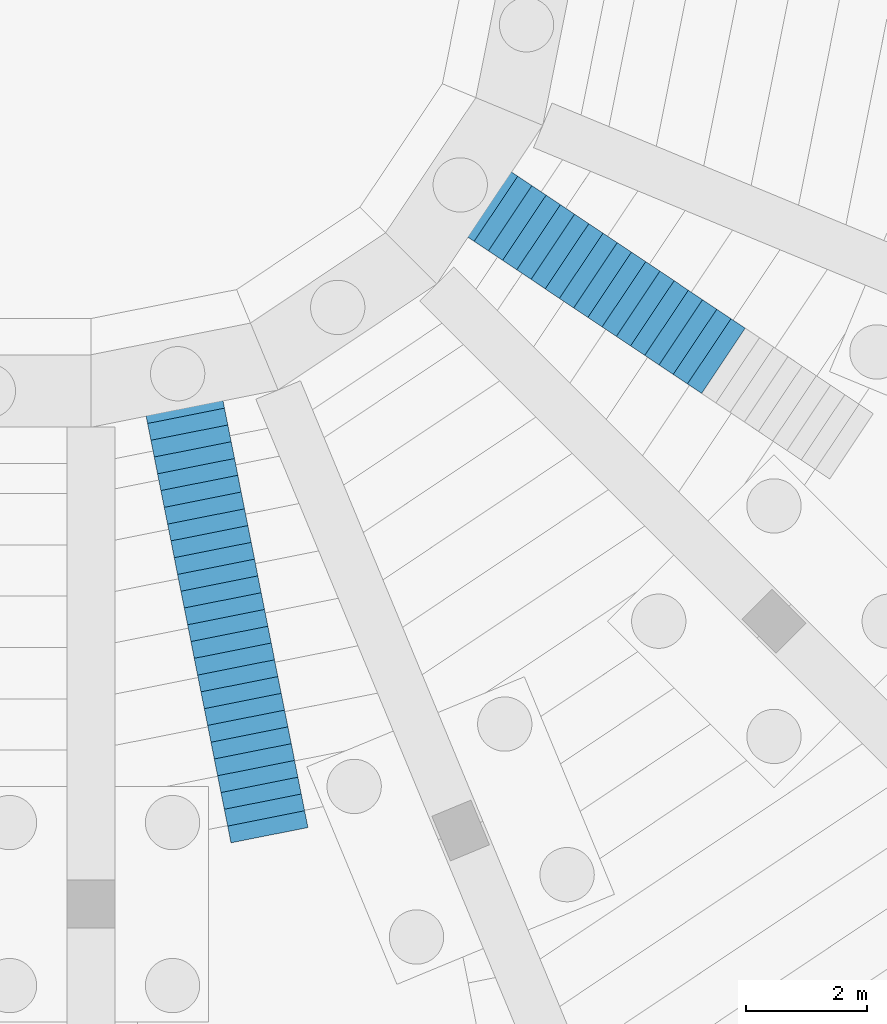
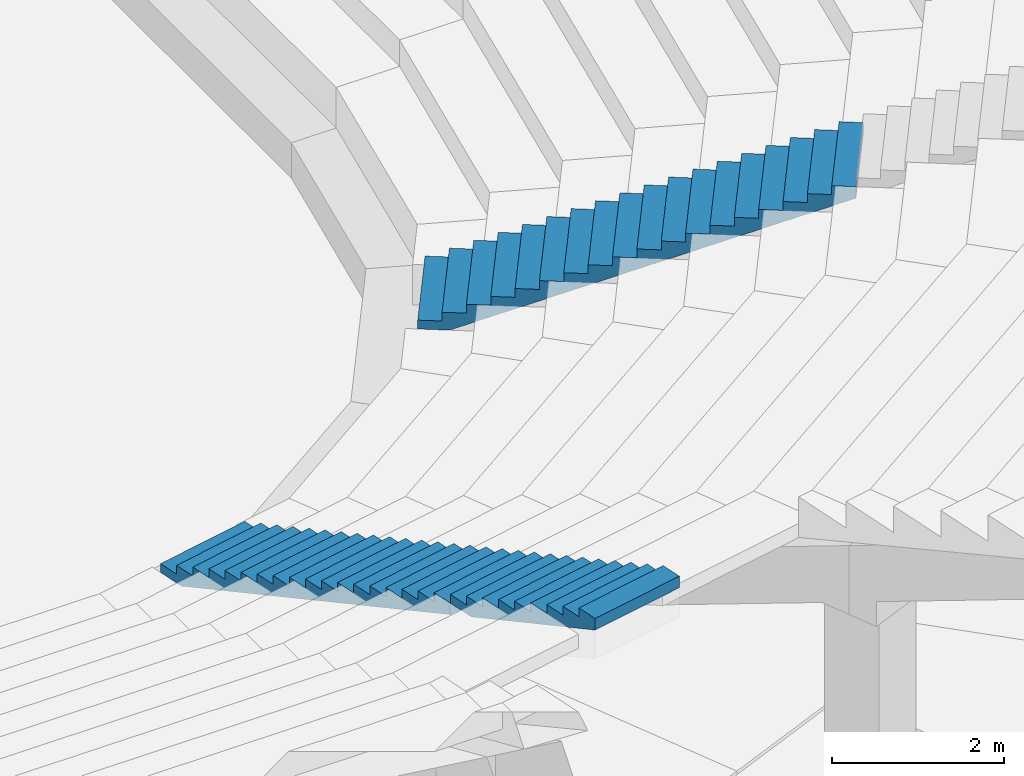
# One storey, part 72 of 115: 3 stair flights, 2 elements without a shape of their own.
"""IFC4 building model written with IfcOpenShell, lengths in metres."""

from ifc_helpers import new_model, si_unit, direction, frame, origin, place, context, subcontext, project, spatial, faceted_brep, material, type_object, element, aggregate, save


model = new_model("IFC4")

# Units and contexts
model_context = context("Model", 3, precision=1e-05, world=origin(), true_north=direction((0.0, 1.0)))
body_context = subcontext(model_context, "Body", "Model", "MODEL_VIEW")
ifc_project = project(units=[si_unit("LENGTHUNIT", "METRE"), si_unit("AREAUNIT", "SQUARE_METRE"), si_unit("VOLUMEUNIT", "CUBIC_METRE"), si_unit("PLANEANGLEUNIT", "RADIAN"), si_unit("MASSUNIT", "GRAM", prefix="KILO")], contexts=[model_context])

# Site, building, storey
site_placement = place(None, origin())
site = spatial("IfcSite", under=ifc_project, at=site_placement, CompositionType="ELEMENT")
building_placement = place(site_placement, origin())
building = spatial("IfcBuilding", under=site, at=building_placement, Name="Ogive Plaza Stadium", CompositionType="ELEMENT")
storey_placement = place(building_placement, frame((0.0, 0.0, -4.5)))
storey = spatial("IfcBuildingStorey", under=building, at=storey_placement, Name="B1", CompositionType="ELEMENT", Elevation=-4.5)

# Stair, stair flight
ifc_material_1 = material(Name="Concrete C40/50", Category="concrete")
stair_type = type_object("IfcStairType", Name="Aisle stair", PredefinedType="STRAIGHT_RUN_STAIR", material=ifc_material_1)
stair_1_placement = place(storey_placement, origin())
stair_1 = element("IfcStair", 1, at=stair_1_placement, inside=storey, type_object=stair_type, Name="Aisle stair SA09D", PredefinedType="STRAIGHT_RUN_STAIR")
ifc_material_2 = material(Name="Concrete C40/50", Category="concrete")
stair_flight_type = type_object("IfcStairFlightType", Name="Aisle stair flight", PredefinedType="STRAIGHT", material=ifc_material_2)
stair_flight_1_placement = place(storey_placement, frame((40.236083984375, -56.666748046875, 1.125), z_axis=(0.0, 0.0, 1.0), x_axis=(0.831469612303, -0.55557023302, 0.0)))
stair_flight_1 = element("IfcStairFlight", 2, at=stair_flight_1_placement, type_object=stair_flight_type, Name="SA09D flight 1", NumberOfRisers=18, NumberOfTreads=17, PredefinedType="STRAIGHT", RiserHeight=0.125, TreadLength=0.283333333, context=body_context, shape_type="Brep", body=[
    faceted_brep([(0.371337890625, -0.64990234375, 0.0), (5.10009765625, -0.64990234375, 2.086181640625), (5.10009765625, -0.64990234375, 2.25), (4.816650390625, -0.64990234375, 2.25), (4.816650390625, -0.64990234375, 2.125), (4.533447265625, -0.64990234375, 2.125), (4.533447265625, -0.64990234375, 2.0), (4.25, -0.64990234375, 2.0), (4.25, -0.64990234375, 1.875), (3.966552734375, -0.64990234375, 1.875), (3.966552734375, -0.64990234375, 1.75), (3.683349609375, -0.64990234375, 1.75), (3.683349609375, -0.64990234375, 1.625), (3.39990234375, -0.64990234375, 1.625), (3.39990234375, -0.64990234375, 1.5), (3.11669921875, -0.64990234375, 1.5), (3.11669921875, -0.64990234375, 1.375), (2.833251953125, -0.64990234375, 1.375), (2.833251953125, -0.64990234375, 1.25), (2.550048828125, -0.64990234375, 1.25), (2.550048828125, -0.64990234375, 1.125), (2.2666015625, -0.64990234375, 1.125), (2.2666015625, -0.64990234375, 1.0), (1.9833984375, -0.64990234375, 1.0), (1.9833984375, -0.64990234375, 0.875), (1.699951171875, -0.64990234375, 0.875), (1.699951171875, -0.64990234375, 0.75), (1.416748046875, -0.64990234375, 0.75), (1.416748046875, -0.64990234375, 0.625), (1.13330078125, -0.64990234375, 0.625), (1.13330078125, -0.64990234375, 0.5), (0.85009765625, -0.64990234375, 0.5), (0.85009765625, -0.64990234375, 0.375), (0.566650390625, -0.64990234375, 0.375), (0.566650390625, -0.64990234375, 0.25), (0.283447265625, -0.64990234375, 0.25), (0.283447265625, -0.64990234375, 0.125), (0.0, -0.64990234375, 0.125), (0.0, -0.64990234375, 0.0), (0.0, 0.64990234375, 0.0), (0.0, 0.64990234375, 0.125), (0.283447265625, 0.64990234375, 0.125), (0.283447265625, 0.64990234375, 0.25), (0.566650390625, 0.64990234375, 0.25), (0.566650390625, 0.64990234375, 0.375), (0.85009765625, 0.64990234375, 0.375), (0.85009765625, 0.64990234375, 0.5), (1.13330078125, 0.64990234375, 0.5), (1.13330078125, 0.64990234375, 0.625), (1.416748046875, 0.64990234375, 0.625), (1.416748046875, 0.64990234375, 0.75), (1.699951171875, 0.64990234375, 0.75), (1.699951171875, 0.64990234375, 0.875), (1.9833984375, 0.64990234375, 0.875), (1.9833984375, 0.64990234375, 1.0), (2.2666015625, 0.64990234375, 1.0), (2.2666015625, 0.64990234375, 1.125), (2.550048828125, 0.64990234375, 1.125), (2.550048828125, 0.64990234375, 1.25), (2.833251953125, 0.64990234375, 1.25), (2.833251953125, 0.64990234375, 1.375), (3.11669921875, 0.64990234375, 1.375), (3.11669921875, 0.64990234375, 1.5), (3.39990234375, 0.64990234375, 1.5), (3.39990234375, 0.64990234375, 1.625), (3.683349609375, 0.64990234375, 1.625), (3.683349609375, 0.64990234375, 1.75), (3.966552734375, 0.64990234375, 1.75), (3.966552734375, 0.64990234375, 1.875), (4.25, 0.64990234375, 1.875), (4.25, 0.64990234375, 2.0), (4.533447265625, 0.64990234375, 2.0), (4.533447265625, 0.64990234375, 2.125), (4.816650390625, 0.64990234375, 2.125), (4.816650390625, 0.64990234375, 2.25), (5.10009765625, 0.64990234375, 2.25), (5.10009765625, 0.64990234375, 2.086181640625), (0.371337890625, 0.64990234375, 0.0), (0.371337890625, -0.324951171875, 0.0), (5.10009765625, -0.324951171875, 2.086181640625), (0.371337890625, 0.0, 0.0), (5.10009765625, 0.0, 2.086181640625), (0.371337890625, 0.324951171875, 0.0), (5.10009765625, 0.324951171875, 2.086181640625), (5.10009765625, -0.324951171875, 2.25), (5.10009765625, 0.0, 2.25), (5.10009765625, 0.324951171875, 2.25), (4.816650390625, -0.324951171875, 2.25), (4.816650390625, 0.0, 2.25), (4.816650390625, 0.324951171875, 2.25), (4.816650390625, -0.324951171875, 2.125), (4.816650390625, 0.0, 2.125), (4.816650390625, 0.324951171875, 2.125), (4.533447265625, -0.324951171875, 2.125), (4.533447265625, 0.0, 2.125), (4.533447265625, 0.324951171875, 2.125), (4.533447265625, -0.324951171875, 2.0), (4.533447265625, 0.0, 2.0), (4.533447265625, 0.324951171875, 2.0), (4.25, -0.324951171875, 2.0), (4.25, 0.0, 2.0), (4.25, 0.324951171875, 2.0), (4.25, -0.324951171875, 1.875), (4.25, 0.0, 1.875), (4.25, 0.324951171875, 1.875), (3.966552734375, -0.324951171875, 1.875), (3.966552734375, 0.0, 1.875), (3.966552734375, 0.324951171875, 1.875), (3.966552734375, -0.324951171875, 1.75), (3.966552734375, 0.0, 1.75), (3.966552734375, 0.324951171875, 1.75), (3.683349609375, -0.324951171875, 1.75), (3.683349609375, 0.0, 1.75), (3.683349609375, 0.324951171875, 1.75), (3.683349609375, -0.324951171875, 1.625), (3.683349609375, 0.0, 1.625), (3.683349609375, 0.324951171875, 1.625), (3.39990234375, -0.324951171875, 1.625), (3.39990234375, 0.0, 1.625), (3.39990234375, 0.324951171875, 1.625), (3.39990234375, -0.324951171875, 1.5), (3.39990234375, 0.0, 1.5), (3.39990234375, 0.324951171875, 1.5), (3.11669921875, -0.324951171875, 1.5), (3.11669921875, 0.0, 1.5), (3.11669921875, 0.324951171875, 1.5), (3.11669921875, -0.324951171875, 1.375), (3.11669921875, 0.0, 1.375), (3.11669921875, 0.324951171875, 1.375), (2.833251953125, -0.324951171875, 1.375), (2.833251953125, 0.0, 1.375), (2.833251953125, 0.324951171875, 1.375), (2.833251953125, -0.324951171875, 1.25), (2.833251953125, 0.0, 1.25), (2.833251953125, 0.324951171875, 1.25), (2.550048828125, -0.324951171875, 1.25), (2.550048828125, 0.0, 1.25), (2.550048828125, 0.324951171875, 1.25), (2.550048828125, -0.324951171875, 1.125), (2.550048828125, 0.0, 1.125), (2.550048828125, 0.324951171875, 1.125), (2.2666015625, -0.324951171875, 1.125), (2.2666015625, 0.0, 1.125), (2.2666015625, 0.324951171875, 1.125), (2.2666015625, -0.324951171875, 1.0), (2.2666015625, 0.0, 1.0), (2.2666015625, 0.324951171875, 1.0), (1.9833984375, -0.324951171875, 1.0), (1.9833984375, 0.0, 1.0), (1.9833984375, 0.324951171875, 1.0), (1.9833984375, -0.324951171875, 0.875), (1.9833984375, 0.0, 0.875), (1.9833984375, 0.324951171875, 0.875), (1.699951171875, -0.324951171875, 0.875), (1.699951171875, 0.0, 0.875), (1.699951171875, 0.324951171875, 0.875), (1.699951171875, -0.324951171875, 0.75), (1.699951171875, 0.0, 0.75), (1.699951171875, 0.324951171875, 0.75), (1.416748046875, -0.324951171875, 0.75), (1.416748046875, 0.0, 0.75), (1.416748046875, 0.324951171875, 0.75), (1.416748046875, -0.324951171875, 0.625), (1.416748046875, 0.0, 0.625), (1.416748046875, 0.324951171875, 0.625), (1.13330078125, -0.324951171875, 0.625), (1.13330078125, 0.0, 0.625), (1.13330078125, 0.324951171875, 0.625), (1.13330078125, -0.324951171875, 0.5), (1.13330078125, 0.0, 0.5), (1.13330078125, 0.324951171875, 0.5), (0.85009765625, -0.324951171875, 0.5), (0.85009765625, 0.0, 0.5), (0.85009765625, 0.324951171875, 0.5), (0.85009765625, -0.324951171875, 0.375), (0.85009765625, 0.0, 0.375), (0.85009765625, 0.324951171875, 0.375), (0.566650390625, -0.324951171875, 0.375), (0.566650390625, 0.0, 0.375), (0.566650390625, 0.324951171875, 0.375), (0.566650390625, -0.324951171875, 0.25), (0.566650390625, 0.0, 0.25), (0.566650390625, 0.324951171875, 0.25), (0.283447265625, -0.324951171875, 0.25), (0.283447265625, 0.0, 0.25), (0.283447265625, 0.324951171875, 0.25), (0.283447265625, -0.324951171875, 0.125), (0.283447265625, 0.0, 0.125), (0.283447265625, 0.324951171875, 0.125), (0.0, -0.324951171875, 0.125), (0.0, 0.0, 0.125), (0.0, 0.324951171875, 0.125), (0.0, -0.324951171875, 0.0), (0.0, 0.0, 0.0), (0.0, 0.324951171875, 0.0)], [[[0, 1, 2, 3, 4, 5, 6, 7, 8, 9, 10, 11, 12, 13, 14, 15, 16, 17, 18, 19, 20, 21, 22, 23, 24, 25, 26, 27, 28, 29, 30, 31, 32, 33, 34, 35, 36, 37, 38]], [[39, 40, 41, 42, 43, 44, 45, 46, 47, 48, 49, 50, 51, 52, 53, 54, 55, 56, 57, 58, 59, 60, 61, 62, 63, 64, 65, 66, 67, 68, 69, 70, 71, 72, 73, 74, 75, 76, 77]], [[0, 78, 79, 1]], [[78, 80, 81, 79]], [[80, 82, 83, 81]], [[82, 77, 76, 83]], [[1, 79, 84, 2]], [[79, 81, 85, 84]], [[81, 83, 86, 85]], [[83, 76, 75, 86]], [[2, 84, 87, 3]], [[84, 85, 88, 87]], [[85, 86, 89, 88]], [[86, 75, 74, 89]], [[3, 87, 90, 4]], [[87, 88, 91, 90]], [[88, 89, 92, 91]], [[89, 74, 73, 92]], [[4, 90, 93, 5]], [[90, 91, 94, 93]], [[91, 92, 95, 94]], [[92, 73, 72, 95]], [[5, 93, 96, 6]], [[93, 94, 97, 96]], [[94, 95, 98, 97]], [[95, 72, 71, 98]], [[6, 96, 99, 7]], [[96, 97, 100, 99]], [[97, 98, 101, 100]], [[98, 71, 70, 101]], [[7, 99, 102, 8]], [[99, 100, 103, 102]], [[100, 101, 104, 103]], [[101, 70, 69, 104]], [[8, 102, 105, 9]], [[102, 103, 106, 105]], [[103, 104, 107, 106]], [[104, 69, 68, 107]], [[9, 105, 108, 10]], [[105, 106, 109, 108]], [[106, 107, 110, 109]], [[107, 68, 67, 110]], [[10, 108, 111, 11]], [[108, 109, 112, 111]], [[109, 110, 113, 112]], [[110, 67, 66, 113]], [[11, 111, 114, 12]], [[111, 112, 115, 114]], [[112, 113, 116, 115]], [[113, 66, 65, 116]], [[12, 114, 117, 13]], [[114, 115, 118, 117]], [[115, 116, 119, 118]], [[116, 65, 64, 119]], [[13, 117, 120, 14]], [[117, 118, 121, 120]], [[118, 119, 122, 121]], [[119, 64, 63, 122]], [[14, 120, 123, 15]], [[120, 121, 124, 123]], [[121, 122, 125, 124]], [[122, 63, 62, 125]], [[15, 123, 126, 16]], [[123, 124, 127, 126]], [[124, 125, 128, 127]], [[125, 62, 61, 128]], [[16, 126, 129, 17]], [[126, 127, 130, 129]], [[127, 128, 131, 130]], [[128, 61, 60, 131]], [[17, 129, 132, 18]], [[129, 130, 133, 132]], [[130, 131, 134, 133]], [[131, 60, 59, 134]], [[18, 132, 135, 19]], [[132, 133, 136, 135]], [[133, 134, 137, 136]], [[134, 59, 58, 137]], [[19, 135, 138, 20]], [[135, 136, 139, 138]], [[136, 137, 140, 139]], [[137, 58, 57, 140]], [[20, 138, 141, 21]], [[138, 139, 142, 141]], [[139, 140, 143, 142]], [[140, 57, 56, 143]], [[21, 141, 144, 22]], [[141, 142, 145, 144]], [[142, 143, 146, 145]], [[143, 56, 55, 146]], [[22, 144, 147, 23]], [[144, 145, 148, 147]], [[145, 146, 149, 148]], [[146, 55, 54, 149]], [[23, 147, 150, 24]], [[147, 148, 151, 150]], [[148, 149, 152, 151]], [[149, 54, 53, 152]], [[24, 150, 153, 25]], [[150, 151, 154, 153]], [[151, 152, 155, 154]], [[152, 53, 52, 155]], [[25, 153, 156, 26]], [[153, 154, 157, 156]], [[154, 155, 158, 157]], [[155, 52, 51, 158]], [[26, 156, 159, 27]], [[156, 157, 160, 159]], [[157, 158, 161, 160]], [[158, 51, 50, 161]], [[27, 159, 162, 28]], [[159, 160, 163, 162]], [[160, 161, 164, 163]], [[161, 50, 49, 164]], [[28, 162, 165, 29]], [[162, 163, 166, 165]], [[163, 164, 167, 166]], [[164, 49, 48, 167]], [[29, 165, 168, 30]], [[165, 166, 169, 168]], [[166, 167, 170, 169]], [[167, 48, 47, 170]], [[30, 168, 171, 31]], [[168, 169, 172, 171]], [[169, 170, 173, 172]], [[170, 47, 46, 173]], [[31, 171, 174, 32]], [[171, 172, 175, 174]], [[172, 173, 176, 175]], [[173, 46, 45, 176]], [[32, 174, 177, 33]], [[174, 175, 178, 177]], [[175, 176, 179, 178]], [[176, 45, 44, 179]], [[33, 177, 180, 34]], [[177, 178, 181, 180]], [[178, 179, 182, 181]], [[179, 44, 43, 182]], [[34, 180, 183, 35]], [[180, 181, 184, 183]], [[181, 182, 185, 184]], [[182, 43, 42, 185]], [[35, 183, 186, 36]], [[183, 184, 187, 186]], [[184, 185, 188, 187]], [[185, 42, 41, 188]], [[36, 186, 189, 37]], [[186, 187, 190, 189]], [[187, 188, 191, 190]], [[188, 41, 40, 191]], [[37, 189, 192, 38]], [[189, 190, 193, 192]], [[190, 191, 194, 193]], [[191, 40, 39, 194]], [[38, 192, 78, 0]], [[192, 193, 80, 78]], [[193, 194, 82, 80]], [[194, 39, 77, 82]]]),
])
aggregate(stair_1, [stair_flight_1])

# Stair, stair flights
stair_2_placement = place(storey_placement, origin())
stair_2 = element("IfcStair", 3, at=stair_2_placement, inside=storey, type_object=stair_type, Name="Aisle stair SA11D", PredefinedType="STRAIGHT_RUN_STAIR")
stair_flight_2_placement = place(storey_placement, frame((35.463134765625, -59.85595703125, 1.125), z_axis=(0.0, 0.0, 1.0), x_axis=(0.195090322016, -0.980785280403, 0.0)))
stair_flight_2 = element("IfcStairFlight", 4, at=stair_flight_2_placement, type_object=stair_flight_type, Name="SA11D flight 1", NumberOfRisers=18, NumberOfTreads=17, PredefinedType="STRAIGHT", RiserHeight=0.125, TreadLength=0.283333333, context=body_context, shape_type="Brep", body=[
    faceted_brep([(0.371337890625, -0.64990234375, 0.0), (5.10009765625, -0.64990234375, 2.086181640625), (5.10009765625, -0.64990234375, 2.25), (4.816650390625, -0.64990234375, 2.25), (4.816650390625, -0.64990234375, 2.125), (4.533447265625, -0.64990234375, 2.125), (4.533447265625, -0.64990234375, 2.0), (4.25, -0.64990234375, 2.0), (4.25, -0.64990234375, 1.875), (3.966552734375, -0.64990234375, 1.875), (3.966552734375, -0.64990234375, 1.75), (3.683349609375, -0.64990234375, 1.75), (3.683349609375, -0.64990234375, 1.625), (3.39990234375, -0.64990234375, 1.625), (3.39990234375, -0.64990234375, 1.5), (3.11669921875, -0.64990234375, 1.5), (3.11669921875, -0.64990234375, 1.375), (2.833251953125, -0.64990234375, 1.375), (2.833251953125, -0.64990234375, 1.25), (2.550048828125, -0.64990234375, 1.25), (2.550048828125, -0.64990234375, 1.125), (2.2666015625, -0.64990234375, 1.125), (2.2666015625, -0.64990234375, 1.0), (1.9833984375, -0.64990234375, 1.0), (1.9833984375, -0.64990234375, 0.875), (1.699951171875, -0.64990234375, 0.875), (1.699951171875, -0.64990234375, 0.75), (1.416748046875, -0.64990234375, 0.75), (1.416748046875, -0.64990234375, 0.625), (1.13330078125, -0.64990234375, 0.625), (1.13330078125, -0.64990234375, 0.5), (0.85009765625, -0.64990234375, 0.5), (0.85009765625, -0.64990234375, 0.375), (0.566650390625, -0.64990234375, 0.375), (0.566650390625, -0.64990234375, 0.25), (0.283447265625, -0.64990234375, 0.25), (0.283447265625, -0.64990234375, 0.125), (0.0, -0.64990234375, 0.125), (0.0, -0.64990234375, 0.0), (0.0, 0.64990234375, 0.0), (0.0, 0.64990234375, 0.125), (0.283447265625, 0.64990234375, 0.125), (0.283447265625, 0.64990234375, 0.25), (0.566650390625, 0.64990234375, 0.25), (0.566650390625, 0.64990234375, 0.375), (0.85009765625, 0.64990234375, 0.375), (0.85009765625, 0.64990234375, 0.5), (1.13330078125, 0.64990234375, 0.5), (1.13330078125, 0.64990234375, 0.625), (1.416748046875, 0.64990234375, 0.625), (1.416748046875, 0.64990234375, 0.75), (1.699951171875, 0.64990234375, 0.75), (1.699951171875, 0.64990234375, 0.875), (1.9833984375, 0.64990234375, 0.875), (1.9833984375, 0.64990234375, 1.0), (2.2666015625, 0.64990234375, 1.0), (2.2666015625, 0.64990234375, 1.125), (2.550048828125, 0.64990234375, 1.125), (2.550048828125, 0.64990234375, 1.25), (2.833251953125, 0.64990234375, 1.25), (2.833251953125, 0.64990234375, 1.375), (3.11669921875, 0.64990234375, 1.375), (3.11669921875, 0.64990234375, 1.5), (3.39990234375, 0.64990234375, 1.5), (3.39990234375, 0.64990234375, 1.625), (3.683349609375, 0.64990234375, 1.625), (3.683349609375, 0.64990234375, 1.75), (3.966552734375, 0.64990234375, 1.75), (3.966552734375, 0.64990234375, 1.875), (4.25, 0.64990234375, 1.875), (4.25, 0.64990234375, 2.0), (4.533447265625, 0.64990234375, 2.0), (4.533447265625, 0.64990234375, 2.125), (4.816650390625, 0.64990234375, 2.125), (4.816650390625, 0.64990234375, 2.25), (5.10009765625, 0.64990234375, 2.25), (5.10009765625, 0.64990234375, 2.086181640625), (0.371337890625, 0.64990234375, 0.0), (0.371337890625, -0.324951171875, 0.0), (5.10009765625, -0.324951171875, 2.086181640625), (0.371337890625, 0.0, 0.0), (5.10009765625, 0.0, 2.086181640625), (0.371337890625, 0.324951171875, 0.0), (5.10009765625, 0.324951171875, 2.086181640625), (5.10009765625, -0.324951171875, 2.25), (5.10009765625, 0.0, 2.25), (5.10009765625, 0.324951171875, 2.25), (4.816650390625, -0.324951171875, 2.25), (4.816650390625, 0.0, 2.25), (4.816650390625, 0.324951171875, 2.25), (4.816650390625, -0.324951171875, 2.125), (4.816650390625, 0.0, 2.125), (4.816650390625, 0.324951171875, 2.125), (4.533447265625, -0.324951171875, 2.125), (4.533447265625, 0.0, 2.125), (4.533447265625, 0.324951171875, 2.125), (4.533447265625, -0.324951171875, 2.0), (4.533447265625, 0.0, 2.0), (4.533447265625, 0.324951171875, 2.0), (4.25, -0.324951171875, 2.0), (4.25, 0.0, 2.0), (4.25, 0.324951171875, 2.0), (4.25, -0.324951171875, 1.875), (4.25, 0.0, 1.875), (4.25, 0.324951171875, 1.875), (3.966552734375, -0.324951171875, 1.875), (3.966552734375, 0.0, 1.875), (3.966552734375, 0.324951171875, 1.875), (3.966552734375, -0.324951171875, 1.75), (3.966552734375, 0.0, 1.75), (3.966552734375, 0.324951171875, 1.75), (3.683349609375, -0.324951171875, 1.75), (3.683349609375, 0.0, 1.75), (3.683349609375, 0.324951171875, 1.75), (3.683349609375, -0.324951171875, 1.625), (3.683349609375, 0.0, 1.625), (3.683349609375, 0.324951171875, 1.625), (3.39990234375, -0.324951171875, 1.625), (3.39990234375, 0.0, 1.625), (3.39990234375, 0.324951171875, 1.625), (3.39990234375, -0.324951171875, 1.5), (3.39990234375, 0.0, 1.5), (3.39990234375, 0.324951171875, 1.5), (3.11669921875, -0.324951171875, 1.5), (3.11669921875, 0.0, 1.5), (3.11669921875, 0.324951171875, 1.5), (3.11669921875, -0.324951171875, 1.375), (3.11669921875, 0.0, 1.375), (3.11669921875, 0.324951171875, 1.375), (2.833251953125, -0.324951171875, 1.375), (2.833251953125, 0.0, 1.375), (2.833251953125, 0.324951171875, 1.375), (2.833251953125, -0.324951171875, 1.25), (2.833251953125, 0.0, 1.25), (2.833251953125, 0.324951171875, 1.25), (2.550048828125, -0.324951171875, 1.25), (2.550048828125, 0.0, 1.25), (2.550048828125, 0.324951171875, 1.25), (2.550048828125, -0.324951171875, 1.125), (2.550048828125, 0.0, 1.125), (2.550048828125, 0.324951171875, 1.125), (2.2666015625, -0.324951171875, 1.125), (2.2666015625, 0.0, 1.125), (2.2666015625, 0.324951171875, 1.125), (2.2666015625, -0.324951171875, 1.0), (2.2666015625, 0.0, 1.0), (2.2666015625, 0.324951171875, 1.0), (1.9833984375, -0.324951171875, 1.0), (1.9833984375, 0.0, 1.0), (1.9833984375, 0.324951171875, 1.0), (1.9833984375, -0.324951171875, 0.875), (1.9833984375, 0.0, 0.875), (1.9833984375, 0.324951171875, 0.875), (1.699951171875, -0.324951171875, 0.875), (1.699951171875, 0.0, 0.875), (1.699951171875, 0.324951171875, 0.875), (1.699951171875, -0.324951171875, 0.75), (1.699951171875, 0.0, 0.75), (1.699951171875, 0.324951171875, 0.75), (1.416748046875, -0.324951171875, 0.75), (1.416748046875, 0.0, 0.75), (1.416748046875, 0.324951171875, 0.75), (1.416748046875, -0.324951171875, 0.625), (1.416748046875, 0.0, 0.625), (1.416748046875, 0.324951171875, 0.625), (1.13330078125, -0.324951171875, 0.625), (1.13330078125, 0.0, 0.625), (1.13330078125, 0.324951171875, 0.625), (1.13330078125, -0.324951171875, 0.5), (1.13330078125, 0.0, 0.5), (1.13330078125, 0.324951171875, 0.5), (0.85009765625, -0.324951171875, 0.5), (0.85009765625, 0.0, 0.5), (0.85009765625, 0.324951171875, 0.5), (0.85009765625, -0.324951171875, 0.375), (0.85009765625, 0.0, 0.375), (0.85009765625, 0.324951171875, 0.375), (0.566650390625, -0.324951171875, 0.375), (0.566650390625, 0.0, 0.375), (0.566650390625, 0.324951171875, 0.375), (0.566650390625, -0.324951171875, 0.25), (0.566650390625, 0.0, 0.25), (0.566650390625, 0.324951171875, 0.25), (0.283447265625, -0.324951171875, 0.25), (0.283447265625, 0.0, 0.25), (0.283447265625, 0.324951171875, 0.25), (0.283447265625, -0.324951171875, 0.125), (0.283447265625, 0.0, 0.125), (0.283447265625, 0.324951171875, 0.125), (0.0, -0.324951171875, 0.125), (0.0, 0.0, 0.125), (0.0, 0.324951171875, 0.125), (0.0, -0.324951171875, 0.0), (0.0, 0.0, 0.0), (0.0, 0.324951171875, 0.0)], [[[0, 1, 2, 3, 4, 5, 6, 7, 8, 9, 10, 11, 12, 13, 14, 15, 16, 17, 18, 19, 20, 21, 22, 23, 24, 25, 26, 27, 28, 29, 30, 31, 32, 33, 34, 35, 36, 37, 38]], [[39, 40, 41, 42, 43, 44, 45, 46, 47, 48, 49, 50, 51, 52, 53, 54, 55, 56, 57, 58, 59, 60, 61, 62, 63, 64, 65, 66, 67, 68, 69, 70, 71, 72, 73, 74, 75, 76, 77]], [[0, 78, 79, 1]], [[78, 80, 81, 79]], [[80, 82, 83, 81]], [[82, 77, 76, 83]], [[1, 79, 84, 2]], [[79, 81, 85, 84]], [[81, 83, 86, 85]], [[83, 76, 75, 86]], [[2, 84, 87, 3]], [[84, 85, 88, 87]], [[85, 86, 89, 88]], [[86, 75, 74, 89]], [[3, 87, 90, 4]], [[87, 88, 91, 90]], [[88, 89, 92, 91]], [[89, 74, 73, 92]], [[4, 90, 93, 5]], [[90, 91, 94, 93]], [[91, 92, 95, 94]], [[92, 73, 72, 95]], [[5, 93, 96, 6]], [[93, 94, 97, 96]], [[94, 95, 98, 97]], [[95, 72, 71, 98]], [[6, 96, 99, 7]], [[96, 97, 100, 99]], [[97, 98, 101, 100]], [[98, 71, 70, 101]], [[7, 99, 102, 8]], [[99, 100, 103, 102]], [[100, 101, 104, 103]], [[101, 70, 69, 104]], [[8, 102, 105, 9]], [[102, 103, 106, 105]], [[103, 104, 107, 106]], [[104, 69, 68, 107]], [[9, 105, 108, 10]], [[105, 106, 109, 108]], [[106, 107, 110, 109]], [[107, 68, 67, 110]], [[10, 108, 111, 11]], [[108, 109, 112, 111]], [[109, 110, 113, 112]], [[110, 67, 66, 113]], [[11, 111, 114, 12]], [[111, 112, 115, 114]], [[112, 113, 116, 115]], [[113, 66, 65, 116]], [[12, 114, 117, 13]], [[114, 115, 118, 117]], [[115, 116, 119, 118]], [[116, 65, 64, 119]], [[13, 117, 120, 14]], [[117, 118, 121, 120]], [[118, 119, 122, 121]], [[119, 64, 63, 122]], [[14, 120, 123, 15]], [[120, 121, 124, 123]], [[121, 122, 125, 124]], [[122, 63, 62, 125]], [[15, 123, 126, 16]], [[123, 124, 127, 126]], [[124, 125, 128, 127]], [[125, 62, 61, 128]], [[16, 126, 129, 17]], [[126, 127, 130, 129]], [[127, 128, 131, 130]], [[128, 61, 60, 131]], [[17, 129, 132, 18]], [[129, 130, 133, 132]], [[130, 131, 134, 133]], [[131, 60, 59, 134]], [[18, 132, 135, 19]], [[132, 133, 136, 135]], [[133, 134, 137, 136]], [[134, 59, 58, 137]], [[19, 135, 138, 20]], [[135, 136, 139, 138]], [[136, 137, 140, 139]], [[137, 58, 57, 140]], [[20, 138, 141, 21]], [[138, 139, 142, 141]], [[139, 140, 143, 142]], [[140, 57, 56, 143]], [[21, 141, 144, 22]], [[141, 142, 145, 144]], [[142, 143, 146, 145]], [[143, 56, 55, 146]], [[22, 144, 147, 23]], [[144, 145, 148, 147]], [[145, 146, 149, 148]], [[146, 55, 54, 149]], [[23, 147, 150, 24]], [[147, 148, 151, 150]], [[148, 149, 152, 151]], [[149, 54, 53, 152]], [[24, 150, 153, 25]], [[150, 151, 154, 153]], [[151, 152, 155, 154]], [[152, 53, 52, 155]], [[25, 153, 156, 26]], [[153, 154, 157, 156]], [[154, 155, 158, 157]], [[155, 52, 51, 158]], [[26, 156, 159, 27]], [[156, 157, 160, 159]], [[157, 158, 161, 160]], [[158, 51, 50, 161]], [[27, 159, 162, 28]], [[159, 160, 163, 162]], [[160, 161, 164, 163]], [[161, 50, 49, 164]], [[28, 162, 165, 29]], [[162, 163, 166, 165]], [[163, 164, 167, 166]], [[164, 49, 48, 167]], [[29, 165, 168, 30]], [[165, 166, 169, 168]], [[166, 167, 170, 169]], [[167, 48, 47, 170]], [[30, 168, 171, 31]], [[168, 169, 172, 171]], [[169, 170, 173, 172]], [[170, 47, 46, 173]], [[31, 171, 174, 32]], [[171, 172, 175, 174]], [[172, 173, 176, 175]], [[173, 46, 45, 176]], [[32, 174, 177, 33]], [[174, 175, 178, 177]], [[175, 176, 179, 178]], [[176, 45, 44, 179]], [[33, 177, 180, 34]], [[177, 178, 181, 180]], [[178, 179, 182, 181]], [[179, 44, 43, 182]], [[34, 180, 183, 35]], [[180, 181, 184, 183]], [[181, 182, 185, 184]], [[182, 43, 42, 185]], [[35, 183, 186, 36]], [[183, 184, 187, 186]], [[184, 185, 188, 187]], [[185, 42, 41, 188]], [[36, 186, 189, 37]], [[186, 187, 190, 189]], [[187, 188, 191, 190]], [[188, 41, 40, 191]], [[37, 189, 192, 38]], [[189, 190, 193, 192]], [[190, 191, 194, 193]], [[191, 40, 39, 194]], [[38, 192, 78, 0]], [[192, 193, 80, 78]], [[193, 194, 82, 80]], [[194, 39, 77, 82]]]),
])
stair_flight_3_placement = place(storey_placement, frame((36.458251953125, -64.85791015625, 3.375), z_axis=(0.0, 0.0, 1.0), x_axis=(0.195090322016, -0.980785280403, 0.0)))
stair_flight_3 = element("IfcStairFlight", 5, at=stair_flight_3_placement, type_object=stair_flight_type, Name="SA11D flight 2", NumberOfRisers=9, NumberOfTreads=8, PredefinedType="STRAIGHT", RiserHeight=0.125, TreadLength=0.283333333, context=body_context, shape_type="Brep", body=[
    faceted_brep([(0.371337890625, -0.64990234375, 0.0), (2.550048828125, -0.64990234375, 0.961181640625), (2.550048828125, -0.64990234375, 1.125), (2.2666015625, -0.64990234375, 1.125), (2.2666015625, -0.64990234375, 1.0), (1.9833984375, -0.64990234375, 1.0), (1.9833984375, -0.64990234375, 0.875), (1.699951171875, -0.64990234375, 0.875), (1.699951171875, -0.64990234375, 0.75), (1.416748046875, -0.64990234375, 0.75), (1.416748046875, -0.64990234375, 0.625), (1.13330078125, -0.64990234375, 0.625), (1.13330078125, -0.64990234375, 0.5), (0.85009765625, -0.64990234375, 0.5), (0.85009765625, -0.64990234375, 0.375), (0.566650390625, -0.64990234375, 0.375), (0.566650390625, -0.64990234375, 0.25), (0.283447265625, -0.64990234375, 0.25), (0.283447265625, -0.64990234375, 0.125), (0.0, -0.64990234375, 0.125), (0.0, -0.64990234375, 0.0), (0.0, 0.64990234375, 0.0), (0.0, 0.64990234375, 0.125), (0.283447265625, 0.64990234375, 0.125), (0.283447265625, 0.64990234375, 0.25), (0.566650390625, 0.64990234375, 0.25), (0.566650390625, 0.64990234375, 0.375), (0.85009765625, 0.64990234375, 0.375), (0.85009765625, 0.64990234375, 0.5), (1.13330078125, 0.64990234375, 0.5), (1.13330078125, 0.64990234375, 0.625), (1.416748046875, 0.64990234375, 0.625), (1.416748046875, 0.64990234375, 0.75), (1.699951171875, 0.64990234375, 0.75), (1.699951171875, 0.64990234375, 0.875), (1.9833984375, 0.64990234375, 0.875), (1.9833984375, 0.64990234375, 1.0), (2.2666015625, 0.64990234375, 1.0), (2.2666015625, 0.64990234375, 1.125), (2.550048828125, 0.64990234375, 1.125), (2.550048828125, 0.64990234375, 0.961181640625), (0.371337890625, 0.64990234375, 0.0), (0.371337890625, -0.324951171875, 0.0), (2.550048828125, -0.324951171875, 0.961181640625), (0.371337890625, 0.0, 0.0), (2.550048828125, 0.0, 0.961181640625), (0.371337890625, 0.324951171875, 0.0), (2.550048828125, 0.324951171875, 0.961181640625), (2.550048828125, -0.324951171875, 1.125), (2.550048828125, 0.0, 1.125), (2.550048828125, 0.324951171875, 1.125), (2.2666015625, -0.324951171875, 1.125), (2.2666015625, 0.0, 1.125), (2.2666015625, 0.324951171875, 1.125), (2.2666015625, -0.324951171875, 1.0), (2.2666015625, 0.0, 1.0), (2.2666015625, 0.324951171875, 1.0), (1.9833984375, -0.324951171875, 1.0), (1.9833984375, 0.0, 1.0), (1.9833984375, 0.324951171875, 1.0), (1.9833984375, -0.324951171875, 0.875), (1.9833984375, 0.0, 0.875), (1.9833984375, 0.324951171875, 0.875), (1.699951171875, -0.324951171875, 0.875), (1.699951171875, 0.0, 0.875), (1.699951171875, 0.324951171875, 0.875), (1.699951171875, -0.324951171875, 0.75), (1.699951171875, 0.0, 0.75), (1.699951171875, 0.324951171875, 0.75), (1.416748046875, -0.324951171875, 0.75), (1.416748046875, 0.0, 0.75), (1.416748046875, 0.324951171875, 0.75), (1.416748046875, -0.324951171875, 0.625), (1.416748046875, 0.0, 0.625), (1.416748046875, 0.324951171875, 0.625), (1.13330078125, -0.324951171875, 0.625), (1.13330078125, 0.0, 0.625), (1.13330078125, 0.324951171875, 0.625), (1.13330078125, -0.324951171875, 0.5), (1.13330078125, 0.0, 0.5), (1.13330078125, 0.324951171875, 0.5), (0.85009765625, -0.324951171875, 0.5), (0.85009765625, 0.0, 0.5), (0.85009765625, 0.324951171875, 0.5), (0.85009765625, -0.324951171875, 0.375), (0.85009765625, 0.0, 0.375), (0.85009765625, 0.324951171875, 0.375), (0.566650390625, -0.324951171875, 0.375), (0.566650390625, 0.0, 0.375), (0.566650390625, 0.324951171875, 0.375), (0.566650390625, -0.324951171875, 0.25), (0.566650390625, 0.0, 0.25), (0.566650390625, 0.324951171875, 0.25), (0.283447265625, -0.324951171875, 0.25), (0.283447265625, 0.0, 0.25), (0.283447265625, 0.324951171875, 0.25), (0.283447265625, -0.324951171875, 0.125), (0.283447265625, 0.0, 0.125), (0.283447265625, 0.324951171875, 0.125), (0.0, -0.324951171875, 0.125), (0.0, 0.0, 0.125), (0.0, 0.324951171875, 0.125), (0.0, -0.324951171875, 0.0), (0.0, 0.0, 0.0), (0.0, 0.324951171875, 0.0)], [[[0, 1, 2, 3, 4, 5, 6, 7, 8, 9, 10, 11, 12, 13, 14, 15, 16, 17, 18, 19, 20]], [[21, 22, 23, 24, 25, 26, 27, 28, 29, 30, 31, 32, 33, 34, 35, 36, 37, 38, 39, 40, 41]], [[0, 42, 43, 1]], [[42, 44, 45, 43]], [[44, 46, 47, 45]], [[46, 41, 40, 47]], [[1, 43, 48, 2]], [[43, 45, 49, 48]], [[45, 47, 50, 49]], [[47, 40, 39, 50]], [[2, 48, 51, 3]], [[48, 49, 52, 51]], [[49, 50, 53, 52]], [[50, 39, 38, 53]], [[3, 51, 54, 4]], [[51, 52, 55, 54]], [[52, 53, 56, 55]], [[53, 38, 37, 56]], [[4, 54, 57, 5]], [[54, 55, 58, 57]], [[55, 56, 59, 58]], [[56, 37, 36, 59]], [[5, 57, 60, 6]], [[57, 58, 61, 60]], [[58, 59, 62, 61]], [[59, 36, 35, 62]], [[6, 60, 63, 7]], [[60, 61, 64, 63]], [[61, 62, 65, 64]], [[62, 35, 34, 65]], [[7, 63, 66, 8]], [[63, 64, 67, 66]], [[64, 65, 68, 67]], [[65, 34, 33, 68]], [[8, 66, 69, 9]], [[66, 67, 70, 69]], [[67, 68, 71, 70]], [[68, 33, 32, 71]], [[9, 69, 72, 10]], [[69, 70, 73, 72]], [[70, 71, 74, 73]], [[71, 32, 31, 74]], [[10, 72, 75, 11]], [[72, 73, 76, 75]], [[73, 74, 77, 76]], [[74, 31, 30, 77]], [[11, 75, 78, 12]], [[75, 76, 79, 78]], [[76, 77, 80, 79]], [[77, 30, 29, 80]], [[12, 78, 81, 13]], [[78, 79, 82, 81]], [[79, 80, 83, 82]], [[80, 29, 28, 83]], [[13, 81, 84, 14]], [[81, 82, 85, 84]], [[82, 83, 86, 85]], [[83, 28, 27, 86]], [[14, 84, 87, 15]], [[84, 85, 88, 87]], [[85, 86, 89, 88]], [[86, 27, 26, 89]], [[15, 87, 90, 16]], [[87, 88, 91, 90]], [[88, 89, 92, 91]], [[89, 26, 25, 92]], [[16, 90, 93, 17]], [[90, 91, 94, 93]], [[91, 92, 95, 94]], [[92, 25, 24, 95]], [[17, 93, 96, 18]], [[93, 94, 97, 96]], [[94, 95, 98, 97]], [[95, 24, 23, 98]], [[18, 96, 99, 19]], [[96, 97, 100, 99]], [[97, 98, 101, 100]], [[98, 23, 22, 101]], [[19, 99, 102, 20]], [[99, 100, 103, 102]], [[100, 101, 104, 103]], [[101, 22, 21, 104]], [[20, 102, 42, 0]], [[102, 103, 44, 42]], [[103, 104, 46, 44]], [[104, 21, 41, 46]]]),
])
aggregate(stair_2, [stair_flight_2, stair_flight_3])

save(model, "model.ifc")
